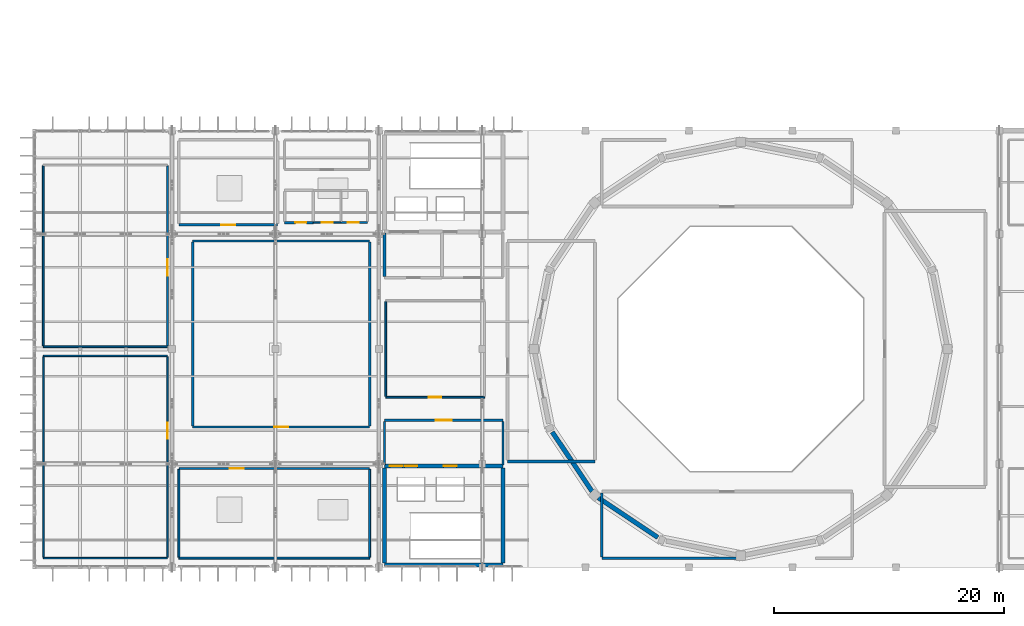
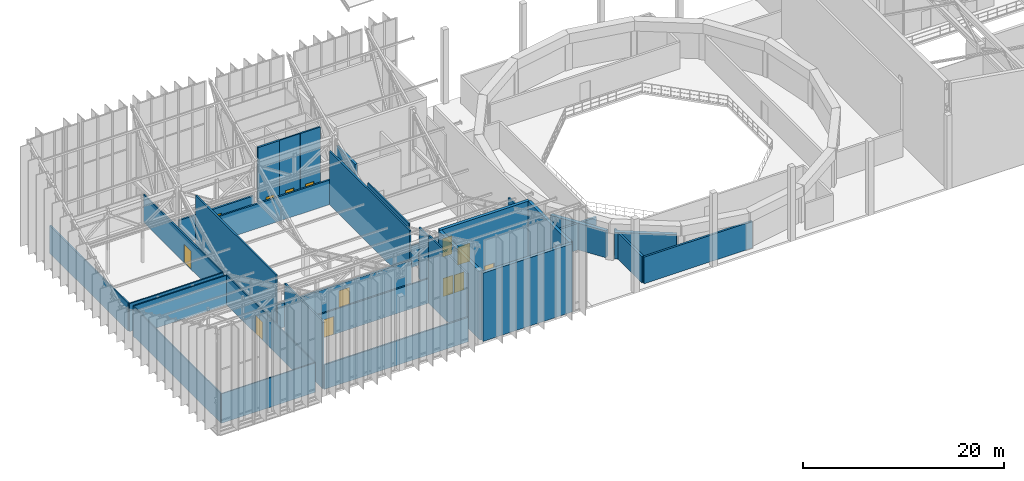
# One storey, part 61 of 68: 34 walls, 13 doors, 13 openings.
"""IFC4 building model written with IfcOpenShell, lengths in metres."""

import ifcopenshell
import ifcopenshell.guid

model = None  # the IFC model being written
_history = None  # IfcOwnerHistory: only IFC2X3 demands one
_inside = {}  # id of a spatial element -> (the spatial element, [elements in it])
_under = {}  # id of a project, library or spatial element -> (it, [spatial elements below it])
_declared = {}  # id of a project -> (the project, [libraries it declares])
_typed = {}  # id of a type object -> (the type object, [elements of that type])
_made_of = {}  # id of a material, layer set ... -> (it, [elements and type objects made of it])


def new_model(schema):
    """Start an empty IFC model of exactly this schema.

    Asked for "IFC4X3", IfcOpenShell would pick the latest addendum, in which some entities
    have other attributes; the version numbers below select the first issue.
    IFC2X3 requires an IfcOwnerHistory on every rooted entity: one is made here for all.
    """
    global model, _history
    if schema == "IFC4X3":
        model = ifcopenshell.file(schema_version=(4, 3, 0, 0))
    else:
        model = ifcopenshell.file(schema=schema)
    _inside.clear()
    _under.clear()
    _declared.clear()
    _typed.clear()
    _made_of.clear()
    _history = None
    if model.schema == "IFC2X3":
        org = make("IfcOrganization", Name="unknown")
        user = make(
            "IfcPersonAndOrganization",
            ThePerson=make("IfcPerson", FamilyName="unknown"),
            TheOrganization=org,
        )
        app = make(
            "IfcApplication",
            ApplicationDeveloper=org,
            Version="unknown",
            ApplicationFullName="unknown",
            ApplicationIdentifier="unknown",
        )
        _history = make(
            "IfcOwnerHistory",
            OwningUser=user,
            OwningApplication=app,
            ChangeAction="ADDED",
            CreationDate=0,
        )
    return model


def make(cls, **values):
    """One entity of the class cls with the attributes given. An attribute that is None is left unset."""
    return model.create_entity(
        cls, **{name: value for name, value in values.items() if value is not None}
    )


def rooted(cls, **values):
    """An entity with a GlobalId (a new one), such as an element, a storey or a relation."""
    return make(cls, GlobalId=ifcopenshell.guid.new(), OwnerHistory=_history, **values)


def si_unit(unit_type, name, prefix=None):
    """IfcSIUnit, for example si_unit("LENGTHUNIT", "METRE", prefix="MILLI")."""
    return make("IfcSIUnit", UnitType=unit_type, Prefix=prefix, Name=name)


def assignment(units):
    """IfcUnitAssignment: the units of a project."""
    return None if units is None else make("IfcUnitAssignment", Units=units)


def point(xyz):
    """IfcCartesianPoint."""
    return None if xyz is None else make("IfcCartesianPoint", Coordinates=xyz)


def direction(xyz):
    """IfcDirection."""
    return None if xyz is None else make("IfcDirection", DirectionRatios=xyz)


def frame(location, z_axis=None, x_axis=None):
    """IfcAxis2Placement3D, a coordinate frame: its origin and axes. An axis left out is left unset."""
    return make(
        "IfcAxis2Placement3D",
        Location=point(location),
        Axis=direction(z_axis),
        RefDirection=direction(x_axis),
    )


def frame_2d(location, x_axis=None):
    """IfcAxis2Placement2D, a coordinate frame in the plane: its origin and x axis."""
    return make(
        "IfcAxis2Placement2D", Location=point(location), RefDirection=direction(x_axis)
    )


def origin():
    """The frame at (0, 0, 0) with its axes left unset."""
    return frame((0.0, 0.0, 0.0))


def place(relative_to, where):
    """IfcLocalPlacement: puts the frame where relative to a parent placement (None: the world)."""
    return make(
        "IfcLocalPlacement", PlacementRelTo=relative_to, RelativePlacement=where
    )


def context(
    kind, dimensions, precision=None, world=None, true_north=None, identifier=None
):
    """IfcGeometricRepresentationContext, for example the 3D "Model" context."""
    return make(
        "IfcGeometricRepresentationContext",
        ContextIdentifier=identifier,
        ContextType=kind,
        CoordinateSpaceDimension=dimensions,
        Precision=precision,
        WorldCoordinateSystem=world,
        TrueNorth=true_north,
    )


def subcontext(parent, identifier, kind, view, scale=None):
    """IfcGeometricRepresentationSubContext, for example "Body" below "Model"."""
    return make(
        "IfcGeometricRepresentationSubContext",
        ContextIdentifier=identifier,
        ContextType=kind,
        ParentContext=parent,
        TargetScale=scale,
        TargetView=view,
    )


def project(units=None, contexts=None):
    """IfcProject with its units and contexts."""
    return rooted(
        "IfcProject",
        Name="project",
        RepresentationContexts=contexts,
        UnitsInContext=assignment(units),
    )


def spatial(cls, under=None, at=None, **own):
    """A site, building, storey or space (cls), placed at a placement, below another one or the project."""
    s = rooted(cls, ObjectPlacement=at, **own)
    if under is not None:
        _under.setdefault(under.id(), (under, []))[1].append(s)
    return s


def profile(cls, at=None, kind="AREA", **sizes):
    """A parametric profile (cls). Its sizes go by their IFC names, for example OverallWidth=200.0."""
    return make(cls, ProfileType=kind, Position=at, **sizes)


def rectangle(**sizes):
    """IfcRectangleProfileDef."""
    return profile("IfcRectangleProfileDef", **sizes)


def extrude(swept, where, along, depth):
    """IfcExtrudedAreaSolid: the profile swept, set in the frame where, extruded along a direction by depth."""
    return make(
        "IfcExtrudedAreaSolid",
        SweptArea=swept,
        Position=where,
        ExtrudedDirection=direction(along),
        Depth=depth,
    )


def shape(context_of_items, identifier, shape_type, items):
    """IfcShapeRepresentation: the items that make up one representation, for example the "Body"."""
    return make(
        "IfcShapeRepresentation",
        ContextOfItems=context_of_items,
        RepresentationIdentifier=identifier,
        RepresentationType=shape_type,
        Items=items,
    )


def material(Name=None, Category=None):
    """IfcMaterial."""
    return make("IfcMaterial", Name=Name, Category=Category)


def layer(
    of_material, thickness, ventilated=None, Name=None, Category=None, Priority=None
):
    """IfcMaterialLayer: one layer of a wall or slab, of a material (None: an air gap)."""
    return make(
        "IfcMaterialLayer",
        Material=of_material,
        LayerThickness=thickness,
        IsVentilated=ventilated,
        Name=Name,
        Category=Category,
        Priority=Priority,
    )


def layer_set(layers, Name=None):
    """IfcMaterialLayerSet."""
    return make("IfcMaterialLayerSet", MaterialLayers=layers, LayerSetName=Name)


def made_of(thing, what):
    """Note that an element or type object is made of a material, layer set ...; save() writes the relation."""
    if what is not None:
        _made_of.setdefault(what.id(), (what, []))[1].append(thing)
    return thing


def type_object(cls, material=None, **own):
    """A type object (cls), such as IfcWallType, which elements share."""
    return made_of(rooted(cls, **own), material)


def element(
    cls,
    number,
    at=None,
    inside=None,
    cuts=None,
    type_object=None,
    material=None,
    context=None,
    identifier="Body",
    shape_type=None,
    held_by="IfcProductDefinitionShape",
    body=None,
    shapes=None,
    **own,
):
    """One element of the class cls, such as IfcWall. Its Tag is "e" and its number.

    at: its placement. inside: the storey or other place that contains it. cuts: it is an
    opening in that element (IfcRelVoidsElement). A single representation is given by context,
    identifier, shape_type and body (its items); several are given by shapes. held_by: the class
    of the entity that holds the representations. save() writes the other relations.
    """
    e = rooted(cls, Tag="e%d" % number, ObjectPlacement=at, **own)
    if body is not None:
        shapes = [shape(context, identifier, shape_type, body)]
    if shapes is not None:
        e.Representation = make(held_by, Representations=shapes)
    if inside is not None:
        _inside.setdefault(inside.id(), (inside, []))[1].append(e)
    if cuts is not None:
        rooted(
            "IfcRelVoidsElement", RelatingBuildingElement=cuts, RelatedOpeningElement=e
        )
    if type_object is not None:
        _typed.setdefault(type_object.id(), (type_object, []))[1].append(e)
    return made_of(e, material)


def fill(opening, filler):
    """IfcRelFillsElement: the door or window that sits in an opening."""
    return rooted(
        "IfcRelFillsElement",
        RelatingOpeningElement=opening,
        RelatedBuildingElement=filler,
    )


def aggregate(whole, parts):
    """IfcRelAggregates: a whole, such as a stair, and the parts it consists of."""
    return rooted("IfcRelAggregates", RelatingObject=whole, RelatedObjects=parts)


def save(model, path):
    """Write the relations noted so far, then the file.

    IfcRelAggregates (storeys below a building ...), IfcRelContainedInSpatialStructure (elements
    in a storey), IfcRelDefinesByType, IfcRelAssociatesMaterial and IfcRelDeclares: one each for
    every whole, place, type object, material and project.
    """
    for whole, parts in _under.values():
        aggregate(whole, parts)
    for where, things in _inside.values():
        rooted(
            "IfcRelContainedInSpatialStructure",
            RelatedElements=things,
            RelatingStructure=where,
        )
    for kind, things in _typed.values():
        rooted("IfcRelDefinesByType", RelatedObjects=things, RelatingType=kind)
    for what, things in _made_of.values():
        rooted("IfcRelAssociatesMaterial", RelatedObjects=things, RelatingMaterial=what)
    for by, libraries in _declared.values():
        rooted("IfcRelDeclares", RelatingContext=by, RelatedDefinitions=libraries)
    model.write(path)


model = new_model("IFC4")

# Units and contexts
model_context = context("Model", 3, precision=1e-05, world=origin(), true_north=direction((0.0, 1.0)))
body_context = subcontext(model_context, "Body", "Model", "MODEL_VIEW")
ifc_project = project(units=[si_unit("LENGTHUNIT", "METRE"), si_unit("AREAUNIT", "SQUARE_METRE"), si_unit("VOLUMEUNIT", "CUBIC_METRE"), si_unit("PLANEANGLEUNIT", "RADIAN"), si_unit("MASSUNIT", "GRAM", prefix="KILO")], contexts=[model_context])

# Site, building, storey
site_placement = place(None, origin())
site = spatial("IfcSite", under=ifc_project, at=site_placement, CompositionType="ELEMENT")
building_placement = place(site_placement, origin())
building = spatial("IfcBuilding", under=site, at=building_placement, Name="Miravela Opera House", CompositionType="ELEMENT")
storey_placement = place(building_placement, frame((0.0, 0.0, 21.760009765625)))
storey = spatial("IfcBuildingStorey", under=building, at=storey_placement, Name="L05", CompositionType="ELEMENT", Elevation=21.760009765625)

# Wall, opening, door
ifc_material_1 = material(Name="Sanitary chase acoustic plumbing wall")
ifc_layer_1 = layer(ifc_material_1, 0.139892578125)
ifc_layer_set_1 = layer_set([ifc_layer_1])
wall_type_1 = type_object("IfcWallType", Name="ARC-PLW-150", PredefinedType="PLUMBINGWALL", material=ifc_layer_set_1)
wall_1_placement = place(storey_placement, frame((39.300048828125, 67.0, 0.0), z_axis=(0.0, 0.0, 1.0), x_axis=(1.0, 0.0, 0.0)))
wall_1 = element("IfcWall", 1, at=wall_1_placement, inside=storey, type_object=wall_type_1, Name="Female Public WC L05 Partition South", PredefinedType="PLUMBINGWALL", context=body_context, shape_type="SweptSolid", body=[
    extrude(rectangle(XDim=2.39990234375, YDim=0.139892578125, at=frame_2d((1.199951171875, 0.0))), origin(), (0.0, 0.0, 1.0), 8.5205078125),
])
opening_1_placement = place(wall_1_placement, frame((0.72509765625, 0.0, 0.0)))
opening_1 = element("IfcOpeningElement", 2, at=opening_1_placement, cuts=wall_1, Name="Opening ID-01", PredefinedType="OPENING", context=body_context, shape_type="SweptSolid", body=[
    extrude(rectangle(XDim=0.949951171875, YDim=2.14990234375, at=frame_2d((0.47509765625, 1.074951171875))), frame((0.0, 0.079833984375, 0.0), z_axis=(0.0, -1.0, 0.0), x_axis=(1.0, 0.0, 0.0)), (0.0, 0.0, 1.0), 0.159912109375),
])
ifc_material_2 = material(Name="Solid mahogany acoustic room door")
door_type_1 = type_object("IfcDoorType", Name="ARC-DR-950X2150", OperationType="NOTDEFINED", PredefinedType="DOOR", material=ifc_material_2)
door_1_placement = place(opening_1_placement, origin())
door_1 = element("IfcDoor", 3, at=door_1_placement, inside=storey, type_object=door_type_1, Name="Female Public WC L05 Entry Door IDR-L05-0330", OperationType="SINGLE_SWING_RIGHT", OverallHeight=2.14990234375, OverallWidth=0.949951171875, PredefinedType="DOOR", context=body_context, shape_type="SweptSolid", body=[
    extrude(rectangle(XDim=0.949951171875, YDim=2.14990234375, at=frame_2d((0.47509765625, 1.074951171875))), frame((0.0, 0.02490234375, 0.0), z_axis=(0.0, -1.0, 0.0), x_axis=(1.0, 0.0, 0.0)), (0.0, 0.0, 1.0), 0.050048828125),
])
fill(opening_1, door_1)

ifc_material_3 = material(Name="Public washroom wet-service chase wall")
ifc_layer_2 = layer(ifc_material_3, 0.179931640625)
ifc_layer_set_2 = layer_set([ifc_layer_2])
wall_type_2 = type_object("IfcWallType", Name="ARC-PLW-180", PredefinedType="PLUMBINGWALL", material=ifc_layer_set_2)
wall_2_placement = place(storey_placement, frame((41.699951171875, 67.0, 0.0), z_axis=(0.0, 0.0, 1.0), x_axis=(1.0, 0.0, 0.0)))
wall_2 = element("IfcWall", 4, at=wall_2_placement, inside=storey, type_object=wall_type_2, Name="Male Public WC L05 Partition South", PredefinedType="PLUMBINGWALL", context=body_context, shape_type="SweptSolid", body=[
    extrude(rectangle(XDim=2.300048828125, YDim=0.179931640625, at=frame_2d((1.14990234375, 0.0))), origin(), (0.0, 0.0, 1.0), 8.5205078125),
])
opening_2_placement = place(wall_2_placement, frame((0.598388671875, 0.0, 0.0)))
opening_2 = element("IfcOpeningElement", 5, at=opening_2_placement, cuts=wall_2, Name="Opening ID-01", PredefinedType="OPENING", context=body_context, shape_type="SweptSolid", body=[
    extrude(rectangle(XDim=0.949951171875, YDim=2.14990234375, at=frame_2d((0.47509765625, 1.074951171875))), frame((0.0, 0.099853515625, 0.0), z_axis=(0.0, -1.0, 0.0), x_axis=(1.0, 0.0, 0.0)), (0.0, 0.0, 1.0), 0.199951171875),
])
door_2_placement = place(opening_2_placement, origin())
door_2 = element("IfcDoor", 6, at=door_2_placement, inside=storey, type_object=door_type_1, Name="Male Public WC L05 Entry Door IDR-L05-0331", OperationType="SINGLE_SWING_LEFT", OverallHeight=2.14990234375, OverallWidth=0.949951171875, PredefinedType="DOOR", context=body_context, shape_type="SweptSolid", body=[
    extrude(rectangle(XDim=0.949951171875, YDim=2.14990234375, at=frame_2d((0.47509765625, 1.074951171875))), frame((0.0, 0.02490234375, 0.0), z_axis=(0.0, -1.0, 0.0), x_axis=(1.0, 0.0, 0.0)), (0.0, 0.0, 1.0), 0.050048828125),
])
fill(opening_2, door_2)

ifc_material_4 = material(Name="Dressing suite sanitary chase wall")
ifc_layer_3 = layer(ifc_material_4, 0.219970703125)
ifc_layer_set_3 = layer_set([ifc_layer_3])
wall_type_3 = type_object("IfcWallType", Name="ARC-PLW-215", PredefinedType="PLUMBINGWALL", material=ifc_layer_set_3)
wall_3_placement = place(storey_placement, frame((36.800048828125, 67.0, 0.0), z_axis=(0.0, 0.0, 1.0), x_axis=(1.0, 0.0, 0.0)))
wall_3 = element("IfcWall", 7, at=wall_3_placement, inside=storey, type_object=wall_type_3, Name="Accessible WC L05 Partition South", PredefinedType="PLUMBINGWALL", context=body_context, shape_type="SweptSolid", body=[
    extrude(rectangle(XDim=2.5, YDim=0.219970703125, at=frame_2d((1.25, 0.0))), origin(), (0.0, 0.0, 1.0), 8.5205078125),
])
opening_3_placement = place(wall_3_placement, frame((0.934814453125, 0.0, 0.0)))
opening_3 = element("IfcOpeningElement", 8, at=opening_3_placement, cuts=wall_3, Name="Opening ID-01", PredefinedType="OPENING", context=body_context, shape_type="SweptSolid", body=[
    extrude(rectangle(XDim=0.949951171875, YDim=2.14990234375, at=frame_2d((0.47509765625, 1.074951171875))), frame((0.0, 0.119873046875, 0.0), z_axis=(0.0, -1.0, 0.0), x_axis=(1.0, 0.0, 0.0)), (0.0, 0.0, 1.0), 0.239990234375),
])
door_3_placement = place(opening_3_placement, origin())
door_3 = element("IfcDoor", 9, at=door_3_placement, inside=storey, type_object=door_type_1, Name="Accessible WC L05 Entry Door IDR-L05-0329", OperationType="SINGLE_SWING_LEFT", OverallHeight=2.14990234375, OverallWidth=0.949951171875, PredefinedType="DOOR", context=body_context, shape_type="SweptSolid", body=[
    extrude(rectangle(XDim=0.949951171875, YDim=2.14990234375, at=frame_2d((0.47509765625, 1.074951171875))), frame((0.0, 0.02490234375, 0.0), z_axis=(0.0, -1.0, 0.0), x_axis=(1.0, 0.0, 0.0)), (0.0, 0.0, 1.0), 0.050048828125),
])
fill(opening_3, door_3)

# Walls
ifc_material_5 = material(Name="Fire-rated acoustic gypsum partition")
ifc_layer_4 = layer(ifc_material_5, 0.1298828125)
ifc_layer_set_4 = layer_set([ifc_layer_4])
wall_type_4 = type_object("IfcWallType", Name="ARC-PT-130", PredefinedType="PARTITIONING", material=ifc_layer_set_4)
for number, where, z_axis, x_axis, name in (
    (10, (15.800048828125, 37.800048828125, 0.0), (0.0, 0.0, 1.0), (1.0, 0.0, 0.0), "Chamber Music Ensemble Studio Partition South"),
    (11, (15.800048828125, 55.39990234375, 0.0), (0.0, 0.0, 1.0), (1.0, 0.0, 0.0), "Chamber Music Ensemble Studio Partition North"),
):
    element("IfcWall", number, at=place(storey_placement, frame(where, z_axis=z_axis, x_axis=x_axis)), inside=storey, type_object=wall_type_4, Name=name, PredefinedType="PARTITIONING", context=body_context, shape_type="SweptSolid", body=[
        extrude(rectangle(XDim=10.800048828125, YDim=0.1298828125, at=frame_2d((5.39990234375, 0.0))), origin(), (0.0, 0.0, 1.0), 3.59423828125),
    ])
wall_4_placement = place(storey_placement, frame((15.800048828125, 37.864990234375, 0.0), z_axis=(0.0, 0.0, 1.0), x_axis=(0.0, 1.0, 0.0)))
element("IfcWall", 12, at=wall_4_placement, inside=storey, type_object=wall_type_4, Name="Chamber Music Ensemble Studio Partition West", PredefinedType="PARTITIONING", context=body_context, shape_type="SweptSolid", body=[
    extrude(rectangle(XDim=17.469970703125, YDim=0.1298828125, at=frame_2d((8.73486328125, 0.0))), origin(), (0.0, 0.0, 1.0), 3.59423828125),
])

# Wall, opening, door
wall_5_placement = place(storey_placement, frame((26.60009765625, 37.864990234375, 0.0), z_axis=(0.0, 0.0, 1.0), x_axis=(0.0, 1.0, 0.0)))
wall_5 = element("IfcWall", 13, at=wall_5_placement, inside=storey, type_object=wall_type_4, Name="Chamber Music Ensemble Studio Partition East", PredefinedType="PARTITIONING", context=body_context, shape_type="SweptSolid", body=[
    extrude(rectangle(XDim=17.469970703125, YDim=0.1298828125, at=frame_2d((8.73486328125, 0.0))), origin(), (0.0, 0.0, 1.0), 3.59423828125),
])
opening_4_placement = place(wall_5_placement, frame((10.319580078125, 0.0, 0.0)))
opening_4 = element("IfcOpeningElement", 14, at=opening_4_placement, cuts=wall_5, Name="Opening ID-05", PredefinedType="OPENING", context=body_context, shape_type="SweptSolid", body=[
    extrude(rectangle(XDim=1.39990234375, YDim=2.199951171875, at=frame_2d((0.699951171875, 1.10009765625))), frame((0.0, 0.074951171875, 0.0), z_axis=(0.0, -1.0, 0.0), x_axis=(1.0, 0.0, 0.0)), (0.0, 0.0, 1.0), 0.14990234375),
])
ifc_material_6 = material(Name="Double-leaf glazed mahogany salon door")
door_type_2 = type_object("IfcDoorType", Name="ARC-DR-1400X2200", OperationType="NOTDEFINED", PredefinedType="DOOR", material=ifc_material_6)
door_4_placement = place(opening_4_placement, origin())
door_4 = element("IfcDoor", 15, at=door_4_placement, inside=storey, type_object=door_type_2, Name="Chamber Music Ensemble Studio Entry Door IDR-L05-0332", OperationType="DOUBLE_DOOR_SINGLE_SWING", OverallHeight=2.199951171875, OverallWidth=1.39990234375, PredefinedType="DOOR", context=body_context, shape_type="SweptSolid", body=[
    extrude(rectangle(XDim=1.39990234375, YDim=2.199951171875, at=frame_2d((0.699951171875, 1.10009765625))), frame((0.0, 0.02490234375, 0.0), z_axis=(0.0, -1.0, 0.0), x_axis=(1.0, 0.0, 0.0)), (0.0, 0.0, 1.0), 0.050048828125),
])
fill(opening_4, door_4)

# Walls
ifc_material_7 = material(Name="Studio double-stud acoustic partition")
ifc_layer_5 = layer(ifc_material_7, 0.14990234375)
ifc_layer_set_5 = layer_set([ifc_layer_5])
wall_type_5 = type_object("IfcWallType", Name="ARC-PT-145", PredefinedType="PARTITIONING", material=ifc_layer_set_5)
wall_6_placement = place(storey_placement, frame((15.800048828125, 56.199951171875, 0.0), z_axis=(0.0, 0.0, 1.0), x_axis=(1.0, 0.0, 0.0)))
element("IfcWall", 16, at=wall_6_placement, inside=storey, type_object=wall_type_5, Name="Archival Libretto Reading Room Partition South", PredefinedType="PARTITIONING", context=body_context, shape_type="SweptSolid", body=[
    extrude(rectangle(XDim=10.800048828125, YDim=0.14990234375, at=frame_2d((5.39990234375, 0.0))), origin(), (0.0, 0.0, 1.0), 3.40478515625),
])
wall_7_placement = place(storey_placement, frame((15.800048828125, 56.27490234375, 0.0), z_axis=(0.0, 0.0, 1.0), x_axis=(0.0, 1.0, 0.0)))
element("IfcWall", 17, at=wall_7_placement, inside=storey, type_object=wall_type_5, Name="Archival Libretto Reading Room Partition West", PredefinedType="PARTITIONING", context=body_context, shape_type="SweptSolid", body=[
    extrude(rectangle(XDim=15.650146484375, YDim=0.14990234375, at=frame_2d((7.8251953125, 0.0))), origin(), (0.0, 0.0, 1.0), 3.40478515625),
])

# Wall, opening, door
wall_8_placement = place(storey_placement, frame((26.60009765625, 56.27490234375, 0.0), z_axis=(0.0, 0.0, 1.0), x_axis=(0.0, 1.0, 0.0)))
wall_8 = element("IfcWall", 18, at=wall_8_placement, inside=storey, type_object=wall_type_5, Name="Archival Libretto Reading Room Partition East", PredefinedType="PARTITIONING", context=body_context, shape_type="SweptSolid", body=[
    extrude(rectangle(XDim=15.650146484375, YDim=0.14990234375, at=frame_2d((7.8251953125, 0.0))), origin(), (0.0, 0.0, 1.0), 3.40478515625),
])
opening_5_placement = place(wall_8_placement, frame((6.119140625, 0.0, 0.0)))
opening_5 = element("IfcOpeningElement", 19, at=opening_5_placement, cuts=wall_8, Name="Opening ID-05", PredefinedType="OPENING", context=body_context, shape_type="SweptSolid", body=[
    extrude(rectangle(XDim=1.39990234375, YDim=2.199951171875, at=frame_2d((0.699951171875, 1.10009765625))), frame((0.0, 0.0849609375, 0.0), z_axis=(0.0, -1.0, 0.0), x_axis=(1.0, 0.0, 0.0)), (0.0, 0.0, 1.0), 0.169921875),
])
door_5_placement = place(opening_5_placement, origin())
door_5 = element("IfcDoor", 20, at=door_5_placement, inside=storey, type_object=door_type_2, Name="Archival Libretto Reading Room Entry Door IDR-L05-0333", OperationType="DOUBLE_DOOR_SINGLE_SWING", OverallHeight=2.199951171875, OverallWidth=1.39990234375, PredefinedType="DOOR", context=body_context, shape_type="SweptSolid", body=[
    extrude(rectangle(XDim=1.39990234375, YDim=2.199951171875, at=frame_2d((0.699951171875, 1.10009765625))), frame((0.0, 0.02490234375, 0.0), z_axis=(0.0, -1.0, 0.0), x_axis=(1.0, 0.0, 0.0)), (0.0, 0.0, 1.0), 0.050048828125),
])
fill(opening_5, door_5)

wall_9_placement = place(storey_placement, frame((45.60009765625, 51.800048828125, 0.0), z_axis=(0.0, 0.0, 1.0), x_axis=(1.0, 0.0, 0.0)))
wall_9 = element("IfcWall", 21, at=wall_9_placement, inside=storey, type_object=wall_type_5, Name="Stage Automation Archive Office Partition South", PredefinedType="PARTITIONING", context=body_context, shape_type="SweptSolid", body=[
    extrude(rectangle(XDim=8.599853515625, YDim=0.14990234375, at=frame_2d((4.2998046875, 0.0))), origin(), (0.0, 0.0, 1.0), 2.611083984375),
])
opening_6_placement = place(wall_9_placement, frame((3.75, 0.0, 0.0)))
opening_6 = element("IfcOpeningElement", 22, at=opening_6_placement, cuts=wall_9, Name="Opening ID-03", PredefinedType="OPENING", context=body_context, shape_type="SweptSolid", body=[
    extrude(rectangle(XDim=1.10009765625, YDim=2.199951171875, at=frame_2d((0.550048828125, 1.10009765625))), frame((0.0, 0.0849609375, 0.0), z_axis=(0.0, -1.0, 0.0), x_axis=(1.0, 0.0, 0.0)), (0.0, 0.0, 1.0), 0.169921875),
])
ifc_material_8 = material(Name="Acoustic hardwood studio door", Category="wood")
door_type_3 = type_object("IfcDoorType", Name="ARC-DR-1100X2200", OperationType="NOTDEFINED", PredefinedType="DOOR", material=ifc_material_8)
door_6_placement = place(opening_6_placement, frame((1.10009765625, 0.0, 0.0), z_axis=(0.0, 0.0, 1.0), x_axis=(-1.0, 0.0, 0.0)))
door_6 = element("IfcDoor", 23, at=door_6_placement, inside=storey, type_object=door_type_3, Name="Stage Automation Archive Office Entry Door IDR-L05-0346", OperationType="SINGLE_SWING_LEFT", OverallHeight=2.199951171875, OverallWidth=1.10009765625, PredefinedType="DOOR", context=body_context, shape_type="SweptSolid", body=[
    extrude(rectangle(XDim=1.10009765625, YDim=2.199951171875, at=frame_2d((0.550048828125, 1.10009765625))), frame((0.0, 0.02490234375, 0.0), z_axis=(0.0, -1.0, 0.0), x_axis=(1.0, 0.0, 0.0)), (0.0, 0.0, 1.0), 0.050048828125),
])
fill(opening_6, door_6)

# Walls
wall_10_placement = place(storey_placement, frame((45.60009765625, 51.875, 0.0), z_axis=(0.0, 0.0, 1.0), x_axis=(0.0, 1.0, 0.0)))
element("IfcWall", 24, at=wall_10_placement, inside=storey, type_object=wall_type_5, Name="Stage Automation Archive Office Partition West", PredefinedType="PARTITIONING", context=body_context, shape_type="SweptSolid", body=[
    extrude(rectangle(XDim=8.25, YDim=0.14990234375, at=frame_2d((4.125, 0.0))), origin(), (0.0, 0.0, 1.0), 5.299560546875),
])
ifc_material_9 = material(Name="Rehearsal isolated acoustic partition")
ifc_layer_6 = layer(ifc_material_9, 0.169921875)
ifc_layer_set_6 = layer_set([ifc_layer_6])
wall_type_6 = type_object("IfcWallType", Name="ARC-PT-170", PredefinedType="PARTITIONING", material=ifc_layer_set_6)
wall_11_placement = place(storey_placement, frame((27.60009765625, 37.800048828125, 0.0), z_axis=(0.0, 0.0, 1.0), x_axis=(1.0, 0.0, 0.0)))
element("IfcWall", 25, at=wall_11_placement, inside=storey, type_object=wall_type_6, Name="Acoustic Recording and Mastering Suite Partition South", PredefinedType="PARTITIONING", context=body_context, shape_type="SweptSolid", body=[
    extrude(rectangle(XDim=16.599853515625, YDim=0.169921875, at=frame_2d((8.2998046875, 0.0))), origin(), (0.0, 0.0, 1.0), 2.988525390625),
])

# Wall, opening, door
wall_12_placement = place(storey_placement, frame((27.60009765625, 45.60009765625, 0.0), z_axis=(0.0, 0.0, 1.0), x_axis=(1.0, 0.0, 0.0)))
wall_12 = element("IfcWall", 26, at=wall_12_placement, inside=storey, type_object=wall_type_6, Name="Acoustic Recording and Mastering Suite Partition North", PredefinedType="PARTITIONING", context=body_context, shape_type="SweptSolid", body=[
    extrude(rectangle(XDim=16.599853515625, YDim=0.169921875, at=frame_2d((8.2998046875, 0.0))), origin(), (0.0, 0.0, 1.0), 2.988525390625),
])
opening_7_placement = place(wall_12_placement, frame((4.424072265625, 0.0, 0.0)))
opening_7 = element("IfcOpeningElement", 27, at=opening_7_placement, cuts=wall_12, Name="Opening FD-02", PredefinedType="OPENING", context=body_context, shape_type="SweptSolid", body=[
    extrude(rectangle(XDim=1.199951171875, YDim=2.199951171875, at=frame_2d((0.60009765625, 1.10009765625))), frame((0.0, 0.094970703125, 0.0), z_axis=(0.0, -1.0, 0.0), x_axis=(1.0, 0.0, 0.0)), (0.0, 0.0, 1.0), 0.18994140625),
])
ifc_material_10 = material(Name="Fire-rated gallery/plant exit door")
door_type_4 = type_object("IfcDoorType", Name="ARC-FD-1200X2200", OperationType="NOTDEFINED", PredefinedType="DOOR", material=ifc_material_10)
door_7_placement = place(opening_7_placement, frame((1.199951171875, 0.0, 0.0), z_axis=(0.0, 0.0, 1.0), x_axis=(-1.0, 0.0, 0.0)))
door_7 = element("IfcDoor", 28, at=door_7_placement, inside=storey, type_object=door_type_4, Name="Acoustic Recording and Mastering Suite Entry Door IDR-L05-0334", OperationType="SINGLE_SWING_RIGHT", OverallHeight=2.199951171875, OverallWidth=1.199951171875, PredefinedType="DOOR", context=body_context, shape_type="SweptSolid", body=[
    extrude(rectangle(XDim=1.199951171875, YDim=2.199951171875, at=frame_2d((0.60009765625, 1.10009765625))), frame((0.0, 0.02490234375, 0.0), z_axis=(0.0, -1.0, 0.0), x_axis=(1.0, 0.0, 0.0)), (0.0, 0.0, 1.0), 0.050048828125),
])
fill(opening_7, door_7)

# Walls
for number, where, z_axis, x_axis, name in (
    (29, (27.60009765625, 37.885009765625, 0.0), (0.0, 0.0, 1.0), (0.0, 1.0, 0.0), "Acoustic Recording and Mastering Suite Partition West"),
    (30, (44.199951171875, 37.885009765625, 0.0), (0.0, 0.0, 1.0), (0.0, 1.0, 0.0), "Acoustic Recording and Mastering Suite Partition East"),
):
    element("IfcWall", number, at=place(storey_placement, frame(where, z_axis=z_axis, x_axis=x_axis)), inside=storey, type_object=wall_type_6, Name=name, PredefinedType="PARTITIONING", context=body_context, shape_type="SweptSolid", body=[
        extrude(rectangle(XDim=7.6298828125, YDim=0.169921875, at=frame_2d((3.81494140625, 0.0))), origin(), (0.0, 0.0, 1.0), 8.236328125),
    ])

# Wall, opening, door
ifc_material_11 = material(Name="Corridor fire-resisting masonry partition", Category="masonry")
ifc_layer_7 = layer(ifc_material_11, 0.18994140625)
ifc_layer_set_7 = layer_set([ifc_layer_7])
wall_type_7 = type_object("IfcWallType", Name="ARC-PT-190", PredefinedType="PARTITIONING", material=ifc_layer_set_7)
wall_13_placement = place(storey_placement, frame((45.5, 49.800048828125, 0.0), z_axis=(0.0, 0.0, 1.0), x_axis=(1.0, 0.0, 0.0)))
wall_13 = element("IfcWall", 31, at=wall_13_placement, inside=storey, type_object=wall_type_7, Name="Passenger Lift Lobby K2 L05 Partition North", PredefinedType="PARTITIONING", context=body_context, shape_type="SweptSolid", body=[
    extrude(rectangle(XDim=10.300048828125, YDim=0.18994140625, at=frame_2d((5.14990234375, 0.0))), origin(), (0.0, 0.0, 1.0), 2.988525390625),
])
opening_8_placement = place(wall_13_placement, frame((4.449951171875, 0.0, 0.0)))
opening_8 = element("IfcOpeningElement", 32, at=opening_8_placement, cuts=wall_13, Name="Opening FD-03", PredefinedType="OPENING", context=body_context, shape_type="SweptSolid", body=[
    extrude(rectangle(XDim=1.39990234375, YDim=2.199951171875, at=frame_2d((0.699951171875, 1.10009765625))), frame((0.0, 0.10498046875, 0.0), z_axis=(0.0, -1.0, 0.0), x_axis=(1.0, 0.0, 0.0)), (0.0, 0.0, 1.0), 0.2099609375),
])
ifc_material_12 = material(Name="Fire-rated lobby/archive double door")
door_type_5 = type_object("IfcDoorType", Name="ARC-FD-1400X2200", OperationType="NOTDEFINED", PredefinedType="DOOR", material=ifc_material_12)
door_8_placement = place(opening_8_placement, origin())
door_8 = element("IfcDoor", 33, at=door_8_placement, inside=storey, type_object=door_type_5, Name="Passenger Lift Lobby K2 L05 Entry Door IDR-L05-0325", OperationType="DOUBLE_DOOR_SINGLE_SWING", OverallHeight=2.199951171875, OverallWidth=1.39990234375, PredefinedType="DOOR", context=body_context, shape_type="SweptSolid", body=[
    extrude(rectangle(XDim=1.39990234375, YDim=2.199951171875, at=frame_2d((0.699951171875, 1.10009765625))), frame((0.0, 0.02490234375, 0.0), z_axis=(0.0, -1.0, 0.0), x_axis=(1.0, 0.0, 0.0)), (0.0, 0.0, 1.0), 0.050048828125),
])
fill(opening_8, door_8)

# Walls
for number, where, z_axis, x_axis, name in (
    (34, (45.5, 45.89501953125, 0.0), (0.0, 0.0, 1.0), (0.0, 1.0, 0.0), "Passenger Lift Lobby K2 L05 Partition West"),
    (35, (55.800048828125, 45.89501953125, 0.0), (0.0, 0.0, 1.0), (0.0, 1.0, 0.0), "Passenger Lift Lobby K2 L05 Partition East"),
):
    element("IfcWall", number, at=place(storey_placement, frame(where, z_axis=z_axis, x_axis=x_axis)), inside=storey, type_object=wall_type_7, Name=name, PredefinedType="PARTITIONING", context=body_context, shape_type="SweptSolid", body=[
        extrude(rectangle(XDim=3.81005859375, YDim=0.18994140625, at=frame_2d((1.905029296875, 0.0))), origin(), (0.0, 0.0, 1.0), 6.246826171875),
    ])

# Wall, opening, door
wall_14_placement = place(storey_placement, frame((28.800048828125, 49.199951171875, 0.0), z_axis=(0.0, 0.0, 1.0), x_axis=(1.0, 0.0, 0.0)))
wall_14 = element("IfcWall", 36, at=wall_14_placement, inside=storey, type_object=wall_type_7, Name="Dramaturgy and Libretto Research Office Partition South", PredefinedType="PARTITIONING", context=body_context, shape_type="SweptSolid", body=[
    extrude(rectangle(XDim=15.39990234375, YDim=0.18994140625, at=frame_2d((7.699951171875, 0.0))), origin(), (0.0, 0.0, 1.0), 2.988525390625),
])
opening_9_placement = place(wall_14_placement, frame((7.10009765625, 0.0, 0.0)))
opening_9 = element("IfcOpeningElement", 37, at=opening_9_placement, cuts=wall_14, Name="Opening ID-04", PredefinedType="OPENING", context=body_context, shape_type="SweptSolid", body=[
    extrude(rectangle(XDim=1.199951171875, YDim=2.199951171875, at=frame_2d((0.60009765625, 1.10009765625))), frame((0.0, 0.10498046875, 0.0), z_axis=(0.0, -1.0, 0.0), x_axis=(1.0, 0.0, 0.0)), (0.0, 0.0, 1.0), 0.2099609375),
])
ifc_material_13 = material(Name="Wide acoustic ensemble door")
door_type_6 = type_object("IfcDoorType", Name="ARC-DR-1200X2200", OperationType="NOTDEFINED", PredefinedType="DOOR", material=ifc_material_13)
door_9_placement = place(opening_9_placement, origin())
door_9 = element("IfcDoor", 38, at=door_9_placement, inside=storey, type_object=door_type_6, Name="Dramaturgy and Libretto Research Office Entry Door IDR-L05-0335", OperationType="SINGLE_SWING_LEFT", OverallHeight=2.199951171875, OverallWidth=1.199951171875, PredefinedType="DOOR", context=body_context, shape_type="SweptSolid", body=[
    extrude(rectangle(XDim=1.199951171875, YDim=2.199951171875, at=frame_2d((0.60009765625, 1.10009765625))), frame((0.0, 0.02490234375, 0.0), z_axis=(0.0, -1.0, 0.0), x_axis=(1.0, 0.0, 0.0)), (0.0, 0.0, 1.0), 0.050048828125),
])
fill(opening_9, door_9)

# Walls
wall_15_placement = place(storey_placement, frame((28.800048828125, 65.39990234375, 0.0), z_axis=(0.0, 0.0, 1.0), x_axis=(1.0, 0.0, 0.0)))
element("IfcWall", 39, at=wall_15_placement, inside=storey, type_object=wall_type_7, Name="Dramaturgy and Libretto Research Office Partition North", PredefinedType="PARTITIONING", context=body_context, shape_type="SweptSolid", body=[
    extrude(rectangle(XDim=15.39990234375, YDim=0.18994140625, at=frame_2d((7.699951171875, 0.0))), origin(), (0.0, 0.0, 1.0), 2.988525390625),
])
for number, where, z_axis, x_axis, name in (
    (40, (28.800048828125, 49.294921875, 0.0), (0.0, 0.0, 1.0), (0.0, 1.0, 0.0), "Dramaturgy and Libretto Research Office Partition West"),
    (41, (44.199951171875, 49.294921875, 0.0), (0.0, 0.0, 1.0), (0.0, 1.0, 0.0), "Dramaturgy and Libretto Research Office Partition East"),
):
    element("IfcWall", number, at=place(storey_placement, frame(where, z_axis=z_axis, x_axis=x_axis)), inside=storey, type_object=wall_type_7, Name=name, PredefinedType="PARTITIONING", context=body_context, shape_type="SweptSolid", body=[
        extrude(rectangle(XDim=16.010009765625, YDim=0.18994140625, at=frame_2d((8.0048828125, 0.0))), origin(), (0.0, 0.0, 1.0), 6.531005859375),
    ])
ifc_material_14 = material(Name="High-STC auditorium lobby partition")
ifc_layer_8 = layer(ifc_material_14, 0.22998046875)
ifc_layer_set_8 = layer_set([ifc_layer_8])
wall_type_8 = type_object("IfcWallType", Name="ARC-PT-205", PredefinedType="PARTITIONING", material=ifc_layer_set_8)
wall_16_placement = place(storey_placement, frame((64.39990234375, 37.800048828125, 0.0), z_axis=(0.0, 0.0, 1.0), x_axis=(1.0, 0.0, 0.0)))
element("IfcWall", 42, at=wall_16_placement, inside=storey, type_object=wall_type_8, Name="Stage Surtitle Projection and Cueing Studio Partition South 1", PredefinedType="PARTITIONING", context=body_context, shape_type="SweptSolid", body=[
    extrude(rectangle(XDim=12.492431640625, YDim=0.22998046875, at=frame_2d((6.24609375, 0.0))), origin(), (0.0, 0.0, 1.0), 3.239990234375),
])
wall_17_placement = place(storey_placement, frame((64.39990234375, 37.9150390625, 0.0), z_axis=(0.0, 0.0, 1.0), x_axis=(0.0, 1.0, 0.0)))
element("IfcWall", 43, at=wall_17_placement, inside=storey, type_object=wall_type_8, Name="Stage Surtitle Projection and Cueing Studio Partition West", PredefinedType="PARTITIONING", context=body_context, shape_type="SweptSolid", body=[
    extrude(rectangle(XDim=5.570068359375, YDim=0.22998046875, at=frame_2d((2.78515625, 0.0))), origin(), (0.0, 0.0, 1.0), 3.239990234375),
])

# Wall, opening, door
ifc_material_15 = material(Name="Workshop fire-resisting block partition")
ifc_layer_9 = layer(ifc_material_15, 0.2099609375)
ifc_layer_set_9 = layer_set([ifc_layer_9])
wall_type_9 = type_object("IfcWallType", Name="ARC-PT-210", PredefinedType="PARTITIONING", material=ifc_layer_set_9)
wall_18_placement = place(storey_placement, frame((27.60009765625, 66.800048828125, 0.0), z_axis=(0.0, 0.0, 1.0), x_axis=(1.0, 0.0, 0.0)))
wall_18 = element("IfcWall", 44, at=wall_18_placement, inside=storey, type_object=wall_type_9, Name="Electro-Acoustic Laboratory Studio Partition South", PredefinedType="PARTITIONING", context=body_context, shape_type="SweptSolid", body=[
    extrude(rectangle(XDim=8.599853515625, YDim=0.2099609375, at=frame_2d((4.2998046875, 0.0))), origin(), (0.0, 0.0, 1.0), 2.988525390625),
])
opening_10_placement = place(wall_18_placement, frame((3.699951171875, 0.0, 0.0)))
opening_10 = element("IfcOpeningElement", 45, at=opening_10_placement, cuts=wall_18, Name="Opening ID-04", PredefinedType="OPENING", context=body_context, shape_type="SweptSolid", body=[
    extrude(rectangle(XDim=1.199951171875, YDim=2.199951171875, at=frame_2d((0.60009765625, 1.10009765625))), frame((0.0, 0.114990234375, 0.0), z_axis=(0.0, -1.0, 0.0), x_axis=(1.0, 0.0, 0.0)), (0.0, 0.0, 1.0), 0.22998046875),
])
door_10_placement = place(opening_10_placement, origin())
door_10 = element("IfcDoor", 46, at=door_10_placement, inside=storey, type_object=door_type_6, Name="Electro-Acoustic Laboratory Studio Entry Door IDR-L05-0340", OperationType="SINGLE_SWING_LEFT", OverallHeight=2.199951171875, OverallWidth=1.199951171875, PredefinedType="DOOR", context=body_context, shape_type="SweptSolid", body=[
    extrude(rectangle(XDim=1.199951171875, YDim=2.199951171875, at=frame_2d((0.60009765625, 1.10009765625))), frame((0.0, 0.02490234375, 0.0), z_axis=(0.0, -1.0, 0.0), x_axis=(1.0, 0.0, 0.0)), (0.0, 0.0, 1.0), 0.050048828125),
])
fill(opening_10, door_10)

# Walls
ifc_material_16 = material(Name="Firefighting lobby compartment wall")
ifc_layer_10 = layer(ifc_material_16, 0.25)
ifc_layer_set_10 = layer_set([ifc_layer_10])
wall_type_10 = type_object("IfcWallType", Name="ARC-PT-220", PredefinedType="PARTITIONING", material=ifc_layer_set_10)
wall_19_placement = place(storey_placement, frame((45.5, 62.324951171875, 0.0), z_axis=(0.0, 0.0, 1.0), x_axis=(0.0, 1.0, 0.0)))
element("IfcWall", 47, at=wall_19_placement, inside=storey, type_object=wall_type_10, Name="Firefighting Lobby K1 L05 Partition West", PredefinedType="PARTITIONING", context=body_context, shape_type="SweptSolid", body=[
    extrude(rectangle(XDim=3.75, YDim=0.25, at=frame_2d((1.875, 0.0))), origin(), (0.0, 0.0, 1.0), 6.246826171875),
])
wall_20_placement = place(storey_placement, frame((56.199951171875, 46.199951171875, 0.0), z_axis=(0.0, 0.0, 1.0), x_axis=(1.0, 0.0, 0.0)))
element("IfcWall", 48, at=wall_20_placement, inside=storey, type_object=wall_type_10, Name="Auditorium Followspot Control Room Partition South", PredefinedType="PARTITIONING", context=body_context, shape_type="SweptSolid", body=[
    extrude(rectangle(XDim=7.60009765625, YDim=0.25, at=frame_2d((3.800048828125, 0.0))), origin(), (0.0, 0.0, 1.0), 3.239990234375),
])
ifc_material_17 = material(Name="Concrete C40/50", Category="concrete")
ifc_layer_11 = layer(ifc_material_17, 0.35009765625)
ifc_layer_set_11 = layer_set([ifc_layer_11])
wall_type_11 = type_object("IfcWallType", Name="STR-WALL-CORE-350", PredefinedType="SHEAR", material=ifc_layer_set_11)
wall_21_placement = place(storey_placement, frame((45.5, 37.199951171875, 0.0), z_axis=(0.0, 0.0, 1.0), x_axis=(1.0, 0.0, 0.0)))
element("IfcWall", 49, at=wall_21_placement, inside=storey, type_object=wall_type_11, Name="Core K2 Shear Wall South (L05)", PredefinedType="SHEAR", context=body_context, shape_type="SweptSolid", body=[
    extrude(rectangle(XDim=10.300048828125, YDim=0.35009765625, at=frame_2d((5.14990234375, 0.0))), origin(), (0.0, 0.0, 1.0), 8.3115234375),
])

# Wall, openings, doors
wall_22_placement = place(storey_placement, frame((45.5, 45.800048828125, 0.0), z_axis=(0.0, 0.0, 1.0), x_axis=(1.0, 0.0, 0.0)))
wall_22 = element("IfcWall", 50, at=wall_22_placement, inside=storey, type_object=wall_type_11, Name="Core K2 Shear Wall North (L05)", PredefinedType="SHEAR", context=body_context, shape_type="SweptSolid", body=[
    extrude(rectangle(XDim=10.300048828125, YDim=0.35009765625, at=frame_2d((5.14990234375, 0.0))), origin(), (0.0, 0.0, 1.0), 8.3115234375),
])
opening_11_placement = place(wall_22_placement, frame((0.449951171875, 0.0, 0.0)))
opening_11 = element("IfcOpeningElement", 51, at=opening_11_placement, cuts=wall_22, Name="Opening FD-01", PredefinedType="OPENING", context=body_context, shape_type="SweptSolid", body=[
    extrude(rectangle(XDim=1.10009765625, YDim=2.199951171875, at=frame_2d((0.550048828125, 1.10009765625))), frame((0.0, 0.18505859375, 0.0), z_axis=(0.0, -1.0, 0.0), x_axis=(1.0, 0.0, 0.0)), (0.0, 0.0, 1.0), 0.3701171875),
])
opening_12_placement = place(wall_22_placement, frame((1.739990234375, 0.0, 0.0)))
opening_12 = element("IfcOpeningElement", 52, at=opening_12_placement, cuts=wall_22, Name="Opening LD-02", PredefinedType="OPENING", context=body_context, shape_type="SweptSolid", body=[
    extrude(rectangle(XDim=1.1201171875, YDim=2.159912109375, at=frame_2d((0.56005859375, 1.080078125))), frame((0.0, 0.18505859375, 0.0), z_axis=(0.0, -1.0, 0.0), x_axis=(1.0, 0.0, 0.0)), (0.0, 0.0, 1.0), 0.3701171875),
])
opening_13_placement = place(wall_22_placement, frame((5.139892578125, 0.0, 0.0)))
opening_13 = element("IfcOpeningElement", 53, at=opening_13_placement, cuts=wall_22, Name="Opening LD-02", PredefinedType="OPENING", context=body_context, shape_type="SweptSolid", body=[
    extrude(rectangle(XDim=1.1201171875, YDim=2.159912109375, at=frame_2d((0.56005859375, 1.080078125))), frame((0.0, 0.18505859375, 0.0), z_axis=(0.0, -1.0, 0.0), x_axis=(1.0, 0.0, 0.0)), (0.0, 0.0, 1.0), 0.3701171875),
])
ifc_material_18 = material(Name="Fire-rated steel/hardwood exit stair door", Category="steel")
door_type_7 = type_object("IfcDoorType", Name="ARC-FD-1100X2200", OperationType="NOTDEFINED", PredefinedType="DOOR", material=ifc_material_18)
door_11_placement = place(opening_11_placement, frame((1.10009765625, 0.0, 0.0), z_axis=(0.0, 0.0, 1.0), x_axis=(-1.0, 0.0, 0.0)))
door_11 = element("IfcDoor", 54, at=door_11_placement, inside=storey, type_object=door_type_7, Name="Exit Stair ST-02 Rated Door (L05) IDR-L05-0014", OperationType="SINGLE_SWING_RIGHT", OverallHeight=2.199951171875, OverallWidth=1.10009765625, PredefinedType="DOOR", context=body_context, shape_type="SweptSolid", body=[
    extrude(rectangle(XDim=1.10009765625, YDim=2.199951171875, at=frame_2d((0.550048828125, 1.10009765625))), frame((0.0, 0.02490234375, 0.0), z_axis=(0.0, -1.0, 0.0), x_axis=(1.0, 0.0, 0.0)), (0.0, 0.0, 1.0), 0.050048828125),
])
fill(opening_11, door_11)
ifc_material_19 = material(Name="Brushed stainless and bronze fire-rated lift landing door")
door_type_8 = type_object("IfcDoorType", Name="ARC-LD-PAX-1100X2150", OperationType="SLIDING_TO_LEFT", PredefinedType="DOOR", material=ifc_material_19)
door_12_placement = place(opening_12_placement, origin())
door_12 = element("IfcDoor", 55, at=door_12_placement, inside=storey, type_object=door_type_8, Name="Lift Landing Door PL-02 (L05)", OperationType="SLIDING_TO_LEFT", OverallHeight=2.159912109375, OverallWidth=1.1201171875, PredefinedType="DOOR", context=body_context, shape_type="SweptSolid", body=[
    extrude(rectangle(XDim=1.1201171875, YDim=2.159912109375, at=frame_2d((0.56005859375, 1.080078125))), frame((0.0, 0.02490234375, 0.0), z_axis=(0.0, -1.0, 0.0), x_axis=(1.0, 0.0, 0.0)), (0.0, 0.0, 1.0), 0.050048828125),
])
fill(opening_12, door_12)
door_13_placement = place(opening_13_placement, origin())
door_13 = element("IfcDoor", 56, at=door_13_placement, inside=storey, type_object=door_type_8, Name="Lift Landing Door PL-03 (L05)", OperationType="SLIDING_TO_LEFT", OverallHeight=2.159912109375, OverallWidth=1.1201171875, PredefinedType="DOOR", context=body_context, shape_type="SweptSolid", body=[
    extrude(rectangle(XDim=1.1201171875, YDim=2.159912109375, at=frame_2d((0.56005859375, 1.080078125))), frame((0.0, 0.02490234375, 0.0), z_axis=(0.0, -1.0, 0.0), x_axis=(1.0, 0.0, 0.0)), (0.0, 0.0, 1.0), 0.050048828125),
])
fill(opening_13, door_13)

# Walls
for number, where, z_axis, x_axis, name in (
    (57, (45.5, 37.375, 0.0), (0.0, 0.0, 1.0), (0.0, 1.0, 0.0), "Core K2 Shear Wall West (L05)"),
    (58, (55.800048828125, 37.375, 0.0), (0.0, 0.0, 1.0), (0.0, 1.0, 0.0), "Core K2 Shear Wall East (L05)"),
):
    element("IfcWall", number, at=place(storey_placement, frame(where, z_axis=z_axis, x_axis=x_axis)), inside=storey, type_object=wall_type_11, Name=name, PredefinedType="SHEAR", context=body_context, shape_type="SweptSolid", body=[
        extrude(rectangle(XDim=8.25, YDim=0.35009765625, at=frame_2d((4.125, 0.0))), origin(), (0.0, 0.0, 1.0), 8.3115234375),
    ])
ifc_layer_12 = layer(ifc_material_17, 0.39990234375)
ifc_layer_set_12 = layer_set([ifc_layer_12])
wall_type_12 = type_object("IfcWallType", Name="STR-WALL-DRUM-400", PredefinedType="SHEAR", material=ifc_layer_set_12)
for number, where, z_axis, x_axis, name in (
    (59, (60.09228515625, 48.779052734375, 0.0), (0.0, 0.0, 1.0), (0.555587101324, -0.831458341015, 0.0), "Auditorium Drum Shear Wall L05 Seg 10"),
    (60, (64.104736328125, 43.0498046875, 0.0), (0.0, 0.0, 1.0), (0.831458341015, -0.555587101324, 0.0), "Auditorium Drum Shear Wall L05 Seg 11"),
):
    element("IfcWall", number, at=place(storey_placement, frame(where, z_axis=z_axis, x_axis=x_axis)), inside=storey, type_object=wall_type_12, Name=name, PredefinedType="SHEAR", context=body_context, shape_type="SweptSolid", body=[
        extrude(rectangle(XDim=6.22314453125, YDim=0.39990234375, at=frame_2d((3.111572265625, 0.0))), origin(), (0.0, 0.0, 1.0), 3.260009765625),
    ])

save(model, "model.ifc")
